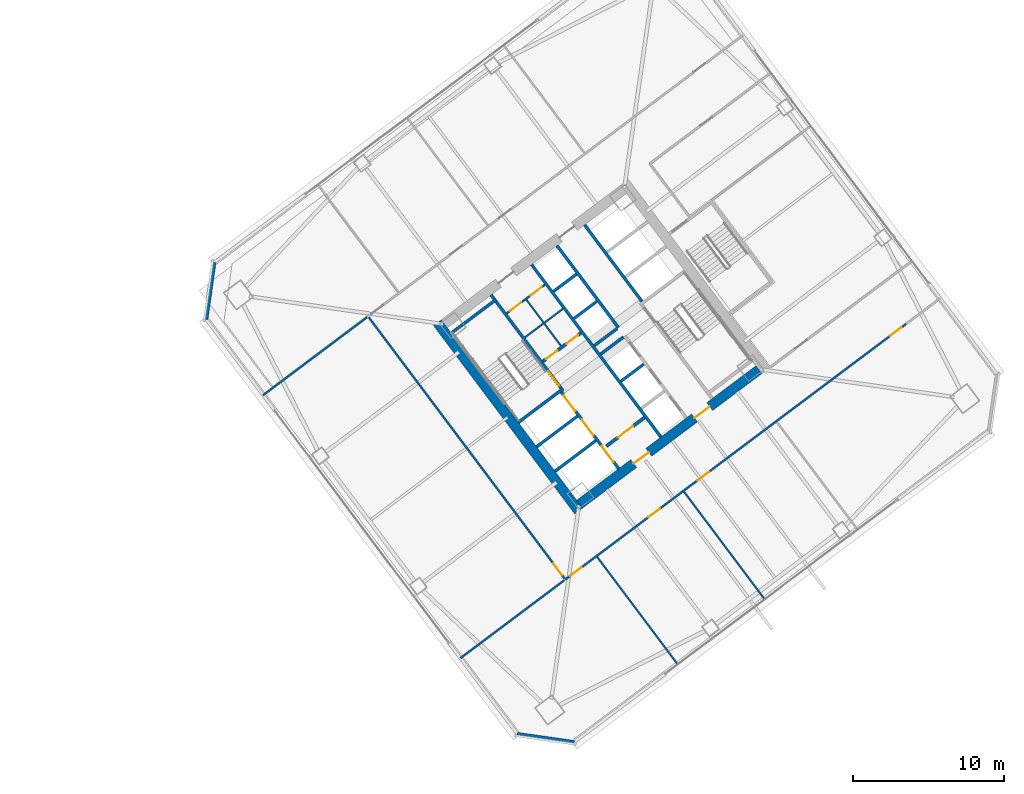
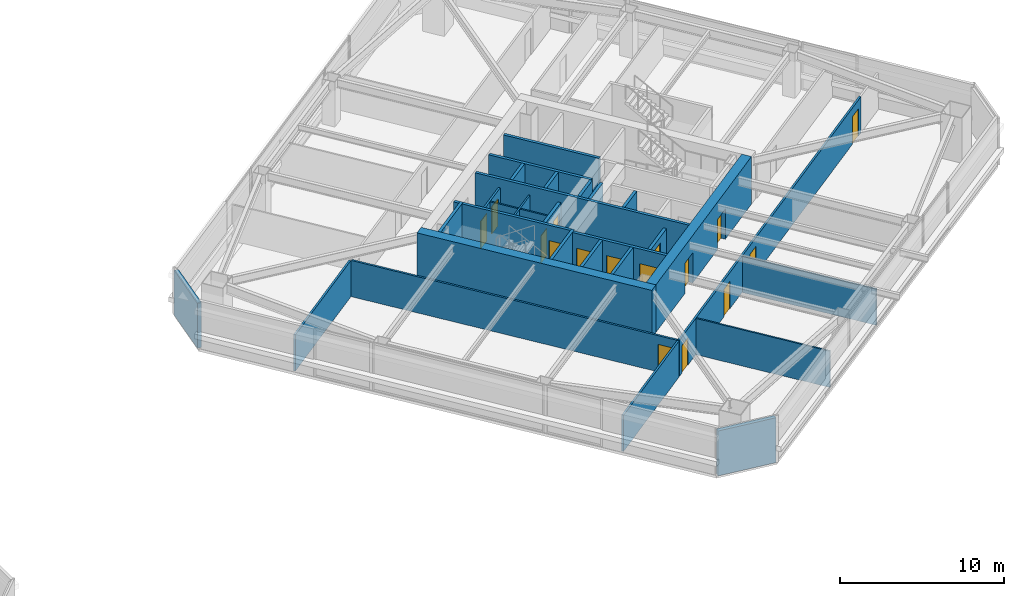
# One storey, part 35 of 44: 29 walls, 16 doors, 16 openings.
"""IFC4 building model written with IfcOpenShell, lengths in metres."""

from ifc_helpers import new_model, si_unit, direction, frame, frame_2d, origin, place, context, subcontext, project, spatial, rectangle, extrude, material, layer, layer_set, type_object, element, fill, save


model = new_model("IFC4")

# Units and contexts
model_context = context("Model", 3, precision=1e-05, world=origin(), true_north=direction((0.0, 1.0)))
body_context = subcontext(model_context, "Body", "Model", "MODEL_VIEW")
ifc_project = project(units=[si_unit("LENGTHUNIT", "METRE"), si_unit("AREAUNIT", "SQUARE_METRE"), si_unit("VOLUMEUNIT", "CUBIC_METRE"), si_unit("PLANEANGLEUNIT", "RADIAN"), si_unit("MASSUNIT", "GRAM", prefix="KILO")], contexts=[model_context])

# Site, building, storey
site_placement = place(None, origin())
site = spatial("IfcSite", under=ifc_project, at=site_placement, CompositionType="ELEMENT")
building_placement = place(site_placement, origin())
building = spatial("IfcBuilding", under=site, at=building_placement, Name="Tashvorn Skyway Center", CompositionType="ELEMENT")
storey_placement = place(building_placement, frame((0.0, 0.0, 74.300048828125)))
storey = spatial("IfcBuildingStorey", under=building, at=storey_placement, Name="L19", CompositionType="ELEMENT", Elevation=74.300048828125)

# Wall
ifc_material_1 = material(Name="Concrete C60/75", Category="concrete")
ifc_layer_1 = layer(ifc_material_1, 0.64990234375)
ifc_layer_set_1 = layer_set([ifc_layer_1], Name="Concrete C60/75")
wall_type_1 = type_object("IfcWallType", Name="WALL-CORE-650", PredefinedType="SHEAR", material=ifc_layer_set_1)
wall_1_placement = place(storey_placement, frame((112.47607421875, 21.10693359375, 0.0), z_axis=(0.0, 0.0, 1.0), x_axis=(-0.600005007985, 0.799996243986, 0.0)))
element("IfcWall", 1, at=wall_1_placement, inside=storey, type_object=wall_type_1, Name="Tower 2 L19 West Core Shear Wall", PredefinedType="SHEAR", context=body_context, shape_type="SweptSolid", body=[
    extrude(rectangle(XDim=15.60009765625, YDim=0.64990234375, at=frame_2d((7.800048828125, 0.0))), origin(), (0.0, 0.0, 1.0), 3.550048828125),
])

# Wall, openings, doors
wall_2_placement = place(storey_placement, frame((124.428955078125, 30.47802734375, 0.0), z_axis=(0.0, 0.0, 1.0), x_axis=(-0.799998028465, -0.600002628705, 0.0)))
wall_2 = element("IfcWall", 2, at=wall_2_placement, inside=storey, type_object=wall_type_1, Name="Tower 2 L19 South Core Shear Wall", PredefinedType="SHEAR", context=body_context, shape_type="SweptSolid", body=[
    extrude(rectangle(XDim=14.85986328125, YDim=0.64990234375, at=frame_2d((7.429931640625, 0.0))), origin(), (0.0, 0.0, 1.0), 3.550048828125),
])
opening_1_placement = place(wall_2_placement, frame((9.1298828125, 0.0, 0.0)))
opening_1 = element("IfcOpeningElement", 3, at=opening_1_placement, cuts=wall_2, Name="Opening D-FFL-1250", PredefinedType="OPENING", context=body_context, shape_type="SweptSolid", body=[
    extrude(rectangle(XDim=1.25, YDim=2.25, at=frame_2d((0.625, 1.125))), frame((0.0, 0.3349609375, 0.0), z_axis=(0.0, -1.0, 0.0), x_axis=(1.0, 0.0, 0.0)), (0.0, 0.0, 1.0), 0.669921875),
])
opening_2_placement = place(wall_2_placement, frame((4.080078125, 0.0, 0.0)))
opening_2 = element("IfcOpeningElement", 4, at=opening_2_placement, cuts=wall_2, Name="Opening D-FFL-1250", PredefinedType="OPENING", context=body_context, shape_type="SweptSolid", body=[
    extrude(rectangle(XDim=1.25, YDim=2.25, at=frame_2d((0.625, 1.125))), frame((0.0, 0.3349609375, 0.0), z_axis=(0.0, -1.0, 0.0), x_axis=(1.0, 0.0, 0.0)), (0.0, 0.0, 1.0), 0.669921875),
])
ifc_material_2 = material(Name="Hollow galvanized steel fire door assembly", Category="steel")
door_type_1 = type_object("IfcDoorType", Name="DOOR-FFL-1250", OperationType="NOTDEFINED", PredefinedType="DOOR", material=ifc_material_2)
door_1_placement = place(opening_1_placement, origin())
door_1 = element("IfcDoor", 5, at=door_1_placement, inside=storey, type_object=door_type_1, Name="Tower 2 L19 Core South Firefighting Exit Door", OperationType="SINGLE_SWING_LEFT", OverallHeight=2.25, OverallWidth=1.25, PredefinedType="DOOR", context=body_context, shape_type="SweptSolid", body=[
    extrude(rectangle(XDim=1.25, YDim=2.25, at=frame_2d((0.625, 1.125))), frame((0.0, 0.02490234375, 0.0), z_axis=(0.0, -1.0, 0.0), x_axis=(1.0, 0.0, 0.0)), (0.0, 0.0, 1.0), 0.050048828125),
])
fill(opening_1, door_1)
door_2_placement = place(opening_2_placement, origin())
door_2 = element("IfcDoor", 6, at=door_2_placement, inside=storey, type_object=door_type_1, Name="Tower 2 L19 Core South Lift Lobby Door", OperationType="SINGLE_SWING_RIGHT", OverallHeight=2.25, OverallWidth=1.25, PredefinedType="DOOR", context=body_context, shape_type="SweptSolid", body=[
    extrude(rectangle(XDim=1.25, YDim=2.25, at=frame_2d((0.625, 1.125))), frame((0.0, 0.02490234375, 0.0), z_axis=(0.0, -1.0, 0.0), x_axis=(1.0, 0.0, 0.0)), (0.0, 0.0, 1.0), 0.050048828125),
])
fill(opening_2, door_2)

# Walls
ifc_material_3 = material(Name="Precast concrete C40/50", Category="concrete")
ifc_layer_2 = layer(ifc_material_3, 0.280029296875)
ifc_layer_set_2 = layer_set([ifc_layer_2], Name="Precast concrete C40/50")
wall_type_2 = type_object("IfcWallType", Name="WALL-EXT-280", PredefinedType="SOLIDWALL", material=ifc_layer_set_2)
for number, where, z_axis, x_axis, name in (
    (7, (112.179931640625, 5.760009765625, 0.0), (0.0, 0.0, 1.0), (-0.989948214866, 0.141430307517, 0.0), "Tower 2 L19 SW Precast Chamfer Wall"),
    (8, (87.760009765625, 33.820068359375, 0.0), (0.0, 0.0, 1.0), (0.141430307517, 0.989948214866, 0.0), "Tower 2 L19 NW Precast Chamfer Wall"),
):
    element("IfcWall", number, at=place(storey_placement, frame(where, z_axis=z_axis, x_axis=x_axis)), inside=storey, type_object=wall_type_2, Name=name, PredefinedType="SOLIDWALL", context=body_context, shape_type="SweptSolid", body=[
        extrude(rectangle(XDim=3.818359375, YDim=0.280029296875, at=frame_2d((1.9091796875, 0.0))), origin(), (0.0, 0.0, 1.0), 3.349853515625),
    ])

# Wall, openings, doors
ifc_material_4 = material(Name="Concrete C40/50", Category="concrete")
ifc_layer_3 = layer(ifc_material_4, 0.219970703125)
ifc_layer_set_3 = layer_set([ifc_layer_3], Name="Concrete C40/50")
wall_type_3 = type_object("IfcWallType", Name="WALL-FFL-220", PredefinedType="SOLIDWALL", material=ifc_layer_set_3)
wall_3_placement = place(storey_placement, frame((110.10400390625, 31.028076171875, 0.0), z_axis=(0.0, 0.0, 1.0), x_axis=(0.800018601094, 0.59997519774, 0.0)))
wall_3 = element("IfcWall", 9, at=wall_3_placement, inside=storey, type_object=wall_type_3, Name="Tower 2 L19 Firefighting Lobby North Wall", PredefinedType="SOLIDWALL", context=body_context, shape_type="SweptSolid", body=[
    extrude(rectangle(XDim=3.14990234375, YDim=0.219970703125, at=frame_2d((1.574951171875, 0.0))), origin(), (0.0, 0.0, 1.0), 2.702880859375),
])
opening_3_placement = place(wall_3_placement, frame((0.25, 0.0, 0.0)))
opening_3 = element("IfcOpeningElement", 10, at=opening_3_placement, cuts=wall_3, Name="Opening D-RT-950", PredefinedType="OPENING", context=body_context, shape_type="SweptSolid", body=[
    extrude(rectangle(XDim=0.949951171875, YDim=2.050048828125, at=frame_2d((0.47509765625, 1.02490234375))), frame((0.0, 0.119873046875, 0.0), z_axis=(0.0, -1.0, 0.0), x_axis=(1.0, 0.0, 0.0)), (0.0, 0.0, 1.0), 0.239990234375),
])
opening_4_placement = place(wall_3_placement, frame((1.949951171875, 0.0, 0.0)))
opening_4 = element("IfcOpeningElement", 11, at=opening_4_placement, cuts=wall_3, Name="Opening D-RT-950", PredefinedType="OPENING", context=body_context, shape_type="SweptSolid", body=[
    extrude(rectangle(XDim=0.949951171875, YDim=2.050048828125, at=frame_2d((0.47509765625, 1.02490234375))), frame((0.0, 0.119873046875, 0.0), z_axis=(0.0, -1.0, 0.0), x_axis=(1.0, 0.0, 0.0)), (0.0, 0.0, 1.0), 0.239990234375),
])
door_type_2 = type_object("IfcDoorType", Name="DOOR-RATED-950", OperationType="NOTDEFINED", PredefinedType="DOOR", material=ifc_material_2)
door_3_placement = place(opening_3_placement, origin())
door_3 = element("IfcDoor", 12, at=door_3_placement, inside=storey, type_object=door_type_2, Name="Tower 2 L19 Core Mail Room Door", OperationType="SINGLE_SWING_LEFT", OverallHeight=2.050048828125, OverallWidth=0.949951171875, PredefinedType="DOOR", context=body_context, shape_type="SweptSolid", body=[
    extrude(rectangle(XDim=0.949951171875, YDim=2.050048828125, at=frame_2d((0.47509765625, 1.02490234375))), frame((0.0, 0.02490234375, 0.0), z_axis=(0.0, -1.0, 0.0), x_axis=(1.0, 0.0, 0.0)), (0.0, 0.0, 1.0), 0.050048828125),
])
fill(opening_3, door_3)
door_4_placement = place(opening_4_placement, origin())
door_4 = element("IfcDoor", 13, at=door_4_placement, inside=storey, type_object=door_type_2, Name="Tower 2 L19 Core Supply Closet Door", OperationType="SINGLE_SWING_RIGHT", OverallHeight=2.050048828125, OverallWidth=0.949951171875, PredefinedType="DOOR", context=body_context, shape_type="SweptSolid", body=[
    extrude(rectangle(XDim=0.949951171875, YDim=2.050048828125, at=frame_2d((0.47509765625, 1.02490234375))), frame((0.0, 0.02490234375, 0.0), z_axis=(0.0, -1.0, 0.0), x_axis=(1.0, 0.0, 0.0)), (0.0, 0.0, 1.0), 0.050048828125),
])
fill(opening_4, door_4)

# Wall, opening, door
wall_4_placement = place(storey_placement, frame((114.31591796875, 25.412109375, 0.0), z_axis=(0.0, 0.0, 1.0), x_axis=(0.800018601094, 0.59997519774, 0.0)))
wall_4 = element("IfcWall", 14, at=wall_4_placement, inside=storey, type_object=wall_type_3, Name="Tower 2 L19 Firefighting Lobby South Wall", PredefinedType="SOLIDWALL", context=body_context, shape_type="SweptSolid", body=[
    extrude(rectangle(XDim=3.14990234375, YDim=0.219970703125, at=frame_2d((1.574951171875, 0.0))), origin(), (0.0, 0.0, 1.0), 2.702880859375),
])
opening_5_placement = place(wall_4_placement, frame((0.949951171875, 0.0, 0.0)))
opening_5 = element("IfcOpeningElement", 15, at=opening_5_placement, cuts=wall_4, Name="Opening D-FFL-1250", PredefinedType="OPENING", context=body_context, shape_type="SweptSolid", body=[
    extrude(rectangle(XDim=1.25, YDim=2.25, at=frame_2d((0.625, 1.125))), frame((0.0, 0.119873046875, 0.0), z_axis=(0.0, -1.0, 0.0), x_axis=(1.0, 0.0, 0.0)), (0.0, 0.0, 1.0), 0.239990234375),
])
door_5_placement = place(opening_5_placement, origin())
door_5 = element("IfcDoor", 16, at=door_5_placement, inside=storey, type_object=door_type_1, Name="Tower 2 L19 Firefighting Lobby Egress Door", OperationType="SINGLE_SWING_LEFT", OverallHeight=2.25, OverallWidth=1.25, PredefinedType="DOOR", context=body_context, shape_type="SweptSolid", body=[
    extrude(rectangle(XDim=1.25, YDim=2.25, at=frame_2d((0.625, 1.125))), frame((0.0, 0.02490234375, 0.0), z_axis=(0.0, -1.0, 0.0), x_axis=(1.0, 0.0, 0.0)), (0.0, 0.0, 1.0), 0.050048828125),
])
fill(opening_5, door_5)

# Walls
ifc_material_5 = material(Name="Gypsum board on cold-formed steel stud framing", Category="steel")
ifc_layer_4 = layer(ifc_material_5, 0.110107421875)
ifc_layer_set_4 = layer_set([ifc_layer_4], Name="Gypsum board on cold-formed steel stud framing")
wall_type_4 = type_object("IfcWallType", Name="WALL-PART-110", PredefinedType="PARTITIONING", material=ifc_layer_set_4)
for number, where, z_axis, x_axis, name in (
    (17, (119.048095703125, 10.93603515625, 0.0), (0.0, 0.0, 1.0), (-0.600013167126, 0.799990124486, 0.0), "Tower 2 L19 South Suite Partition 1"),
    (18, (124.80810546875, 15.256103515625, 0.0), (0.0, 0.0, 1.0), (-0.600013167126, 0.799990124486, 0.0), "Tower 2 L19 South Suite Partition 2"),
):
    element("IfcWall", number, at=place(storey_placement, frame(where, z_axis=z_axis, x_axis=x_axis)), inside=storey, type_object=wall_type_4, Name=name, PredefinedType="PARTITIONING", context=body_context, shape_type="SweptSolid", body=[
        extrude(rectangle(XDim=8.89990234375, YDim=0.110107421875, at=frame_2d((4.449951171875, 0.0))), origin(), (0.0, 0.0, 1.0), 2.702880859375),
    ])

# Wall, openings, doors
ifc_layer_5 = layer(ifc_material_5, 0.135009765625)
ifc_layer_set_5 = layer_set([ifc_layer_5], Name="Gypsum board on cold-formed steel stud framing")
wall_type_5 = type_object("IfcWallType", Name="WALL-PART-135", PredefinedType="PARTITIONING", material=ifc_layer_set_5)
wall_5_placement = place(storey_placement, frame((134.179931640625, 33.510009765625, 0.0), z_axis=(0.0, 0.0, 1.0), x_axis=(-0.8, -0.6, 0.0)))
wall_5 = element("IfcWall", 19, at=wall_5_placement, inside=storey, type_object=wall_type_5, Name="Tower 2 L19 South Suite Wall", PredefinedType="PARTITIONING", context=body_context, shape_type="SweptSolid", body=[
    extrude(rectangle(XDim=28.22998046875, YDim=0.135009765625, at=frame_2d((14.114990234375, 0.0))), origin(), (0.0, 0.0, 1.0), 2.702880859375),
])
opening_6_placement = place(wall_5_placement, frame((26.89990234375, 0.0, 0.0)))
opening_6 = element("IfcOpeningElement", 20, at=opening_6_placement, cuts=wall_5, Name="Opening D-INT-950", PredefinedType="OPENING", context=body_context, shape_type="SweptSolid", body=[
    extrude(rectangle(XDim=0.949951171875, YDim=2.050048828125, at=frame_2d((0.47509765625, 1.02490234375))), frame((0.0, 0.077392578125, 0.0), z_axis=(0.0, -1.0, 0.0), x_axis=(1.0, 0.0, 0.0)), (0.0, 0.0, 1.0), 0.155029296875),
])
opening_7_placement = place(wall_5_placement, frame((20.398681640625, 0.0, 0.0)))
opening_7 = element("IfcOpeningElement", 21, at=opening_7_placement, cuts=wall_5, Name="Opening D-INT-950", PredefinedType="OPENING", context=body_context, shape_type="SweptSolid", body=[
    extrude(rectangle(XDim=0.949951171875, YDim=2.050048828125, at=frame_2d((0.47509765625, 1.02490234375))), frame((0.0, 0.077392578125, 0.0), z_axis=(0.0, -1.0, 0.0), x_axis=(1.0, 0.0, 0.0)), (0.0, 0.0, 1.0), 0.155029296875),
])
opening_8_placement = place(wall_5_placement, frame((16.338623046875, 0.0, 0.0)))
opening_8 = element("IfcOpeningElement", 22, at=opening_8_placement, cuts=wall_5, Name="Opening D-INT-950", PredefinedType="OPENING", context=body_context, shape_type="SweptSolid", body=[
    extrude(rectangle(XDim=0.949951171875, YDim=2.050048828125, at=frame_2d((0.47509765625, 1.02490234375))), frame((0.0, 0.077392578125, 0.0), z_axis=(0.0, -1.0, 0.0), x_axis=(1.0, 0.0, 0.0)), (0.0, 0.0, 1.0), 0.155029296875),
])
opening_9_placement = place(wall_5_placement, frame((0.3798828125, 0.0, 0.0)))
opening_9 = element("IfcOpeningElement", 23, at=opening_9_placement, cuts=wall_5, Name="Opening D-INT-950", PredefinedType="OPENING", context=body_context, shape_type="SweptSolid", body=[
    extrude(rectangle(XDim=0.949951171875, YDim=2.050048828125, at=frame_2d((0.47509765625, 1.02490234375))), frame((0.0, 0.077392578125, 0.0), z_axis=(0.0, -1.0, 0.0), x_axis=(1.0, 0.0, 0.0)), (0.0, 0.0, 1.0), 0.155029296875),
])
ifc_material_6 = material(Name="Solid-core architectural oak veneer door")
door_type_3 = type_object("IfcDoorType", Name="DOOR-INT-950", OperationType="NOTDEFINED", PredefinedType="DOOR", material=ifc_material_6)
door_6_placement = place(opening_6_placement, origin())
door_6 = element("IfcDoor", 24, at=door_6_placement, inside=storey, type_object=door_type_3, Name="Tower 2 L19 Conference Room Door", OperationType="SINGLE_SWING_LEFT", OverallHeight=2.050048828125, OverallWidth=0.949951171875, PredefinedType="DOOR", context=body_context, shape_type="SweptSolid", body=[
    extrude(rectangle(XDim=0.949951171875, YDim=2.050048828125, at=frame_2d((0.47509765625, 1.02490234375))), frame((0.0, 0.02490234375, 0.0), z_axis=(0.0, -1.0, 0.0), x_axis=(1.0, 0.0, 0.0)), (0.0, 0.0, 1.0), 0.050048828125),
])
fill(opening_6, door_6)
door_7_placement = place(opening_7_placement, origin())
door_7 = element("IfcDoor", 25, at=door_7_placement, inside=storey, type_object=door_type_3, Name="Tower 2 L19 Boardroom Door", OperationType="SINGLE_SWING_RIGHT", OverallHeight=2.050048828125, OverallWidth=0.949951171875, PredefinedType="DOOR", context=body_context, shape_type="SweptSolid", body=[
    extrude(rectangle(XDim=0.949951171875, YDim=2.050048828125, at=frame_2d((0.47509765625, 1.02490234375))), frame((0.0, 0.02490234375, 0.0), z_axis=(0.0, -1.0, 0.0), x_axis=(1.0, 0.0, 0.0)), (0.0, 0.0, 1.0), 0.050048828125),
])
fill(opening_7, door_7)
door_8_placement = place(opening_8_placement, origin())
door_8 = element("IfcDoor", 26, at=door_8_placement, inside=storey, type_object=door_type_3, Name="Tower 2 L19 Boardroom Door", OperationType="SINGLE_SWING_LEFT", OverallHeight=2.050048828125, OverallWidth=0.949951171875, PredefinedType="DOOR", context=body_context, shape_type="SweptSolid", body=[
    extrude(rectangle(XDim=0.949951171875, YDim=2.050048828125, at=frame_2d((0.47509765625, 1.02490234375))), frame((0.0, 0.02490234375, 0.0), z_axis=(0.0, -1.0, 0.0), x_axis=(1.0, 0.0, 0.0)), (0.0, 0.0, 1.0), 0.050048828125),
])
fill(opening_8, door_8)
door_9_placement = place(opening_9_placement, origin())
door_9 = element("IfcDoor", 27, at=door_9_placement, inside=storey, type_object=door_type_3, Name="Tower 2 L19 Catering Pantry Door", OperationType="SINGLE_SWING_RIGHT", OverallHeight=2.050048828125, OverallWidth=0.949951171875, PredefinedType="DOOR", context=body_context, shape_type="SweptSolid", body=[
    extrude(rectangle(XDim=0.949951171875, YDim=2.050048828125, at=frame_2d((0.47509765625, 1.02490234375))), frame((0.0, 0.02490234375, 0.0), z_axis=(0.0, -1.0, 0.0), x_axis=(1.0, 0.0, 0.0)), (0.0, 0.0, 1.0), 0.050048828125),
])
fill(opening_9, door_9)

# Wall, opening, door
wall_6_placement = place(storey_placement, frame((111.548095703125, 16.635986328125, 0.0), z_axis=(0.0, 0.0, 1.0), x_axis=(-0.600003610192, 0.799997292343, 0.0)))
wall_6 = element("IfcWall", 28, at=wall_6_placement, inside=storey, type_object=wall_type_5, Name="Tower 2 L19 West Inner Suite Wall", PredefinedType="PARTITIONING", context=body_context, shape_type="SweptSolid", body=[
    extrude(rectangle(XDim=21.64013671875, YDim=0.135009765625, at=frame_2d((10.820068359375, 0.0))), origin(), (0.0, 0.0, 1.0), 2.702880859375),
])
opening_10_placement = place(wall_6_placement, frame((0.300048828125, 0.0, 0.0)))
opening_10 = element("IfcOpeningElement", 29, at=opening_10_placement, cuts=wall_6, Name="Opening D-INT-950", PredefinedType="OPENING", context=body_context, shape_type="SweptSolid", body=[
    extrude(rectangle(XDim=0.949951171875, YDim=2.050048828125, at=frame_2d((0.47509765625, 1.02490234375))), frame((0.0, 0.077392578125, 0.0), z_axis=(0.0, -1.0, 0.0), x_axis=(1.0, 0.0, 0.0)), (0.0, 0.0, 1.0), 0.155029296875),
])
door_10_placement = place(opening_10_placement, origin())
door_10 = element("IfcDoor", 30, at=door_10_placement, inside=storey, type_object=door_type_3, Name="Tower 2 L19 Catering Pantry Door", OperationType="SINGLE_SWING_LEFT", OverallHeight=2.050048828125, OverallWidth=0.949951171875, PredefinedType="DOOR", context=body_context, shape_type="SweptSolid", body=[
    extrude(rectangle(XDim=0.949951171875, YDim=2.050048828125, at=frame_2d((0.47509765625, 1.02490234375))), frame((0.0, 0.02490234375, 0.0), z_axis=(0.0, -1.0, 0.0), x_axis=(1.0, 0.0, 0.0)), (0.0, 0.0, 1.0), 0.050048828125),
])
fill(opening_10, door_10)

# Walls
wall_7_placement = place(storey_placement, frame((98.451904296875, 33.964111328125, 0.0), z_axis=(0.0, 0.0, 1.0), x_axis=(-0.799993202584, -0.600009063115, 0.0)))
element("IfcWall", 31, at=wall_7_placement, inside=storey, type_object=wall_type_5, Name="Tower 2 L19 West Suite North Wall", PredefinedType="PARTITIONING", context=body_context, shape_type="SweptSolid", body=[
    extrude(rectangle(XDim=8.6201171875, YDim=0.135009765625, at=frame_2d((4.31005859375, 0.0))), origin(), (0.0, 0.0, 1.0), 2.702880859375),
])
wall_8_placement = place(storey_placement, frame((104.635986328125, 11.35205078125, 0.0), z_axis=(0.0, 0.0, 1.0), x_axis=(0.800006797429, 0.599990936654, 0.0)))
element("IfcWall", 32, at=wall_8_placement, inside=storey, type_object=wall_type_5, Name="Tower 2 L19 West Suite South Wall", PredefinedType="PARTITIONING", context=body_context, shape_type="SweptSolid", body=[
    extrude(rectangle(XDim=8.619873046875, YDim=0.135009765625, at=frame_2d((4.31005859375, 0.0))), origin(), (0.0, 0.0, 1.0), 2.702880859375),
])
ifc_layer_6 = layer(ifc_material_5, 0.110107421875)
ifc_layer_set_6 = layer_set([ifc_layer_6], Name="Gypsum board on cold-formed steel stud framing")
wall_type_6 = type_object("IfcWallType", Name="WALL-RATED-110", PredefinedType="PARTITIONING", material=ifc_layer_set_6)
wall_9_placement = place(storey_placement, frame((111.2958984375, 32.072021484375, 0.0), z_axis=(0.0, 0.0, 1.0), x_axis=(-0.59995887973, 0.800030838552, 0.0)))
element("IfcWall", 33, at=wall_9_placement, inside=storey, type_object=wall_type_6, Name="Tower 2 L19 Core Cross Vertical", PredefinedType="PARTITIONING", context=body_context, shape_type="SweptSolid", body=[
    extrude(rectangle(XDim=3.7998046875, YDim=0.110107421875, at=frame_2d((1.89990234375, 0.0))), origin(), (0.0, 0.0, 1.0), 2.702880859375),
])
wall_10_placement = place(storey_placement, frame((108.909912109375, 32.6201171875, 0.0), z_axis=(0.0, 0.0, 1.0), x_axis=(0.800018601094, 0.59997519774, 0.0)))
element("IfcWall", 34, at=wall_10_placement, inside=storey, type_object=wall_type_6, Name="Tower 2 L19 Core Cross Horizontal", PredefinedType="PARTITIONING", context=body_context, shape_type="SweptSolid", body=[
    extrude(rectangle(XDim=3.14990234375, YDim=0.110107421875, at=frame_2d((1.574951171875, 0.0))), origin(), (0.0, 0.0, 1.0), 2.702880859375),
])

# Wall, openings, doors
ifc_layer_7 = layer(ifc_material_5, 0.135009765625)
ifc_layer_set_7 = layer_set([ifc_layer_7], Name="Gypsum board on cold-formed steel stud framing")
wall_type_7 = type_object("IfcWallType", Name="WALL-RATED-135", PredefinedType="PARTITIONING", material=ifc_layer_set_7)
wall_11_placement = place(storey_placement, frame((107.7099609375, 34.219970703125, 0.0), z_axis=(0.0, 0.0, 1.0), x_axis=(0.799981399002, 0.60002480053, 0.0)))
wall_11 = element("IfcWall", 35, at=wall_11_placement, inside=storey, type_object=wall_type_7, Name="Tower 2 L19 Core Service Lobby Wall", PredefinedType="PARTITIONING", context=body_context, shape_type="SweptSolid", body=[
    extrude(rectangle(XDim=3.150146484375, YDim=0.135009765625, at=frame_2d((1.5751953125, 0.0))), origin(), (0.0, 0.0, 1.0), 2.702880859375),
])
opening_11_placement = place(wall_11_placement, frame((0.25, 0.0, 0.0)))
opening_11 = element("IfcOpeningElement", 36, at=opening_11_placement, cuts=wall_11, Name="Opening D-RT-950", PredefinedType="OPENING", context=body_context, shape_type="SweptSolid", body=[
    extrude(rectangle(XDim=0.949951171875, YDim=2.050048828125, at=frame_2d((0.47509765625, 1.02490234375))), frame((0.0, 0.077392578125, 0.0), z_axis=(0.0, -1.0, 0.0), x_axis=(1.0, 0.0, 0.0)), (0.0, 0.0, 1.0), 0.155029296875),
])
opening_12_placement = place(wall_11_placement, frame((1.949951171875, 0.0, 0.0)))
opening_12 = element("IfcOpeningElement", 37, at=opening_12_placement, cuts=wall_11, Name="Opening D-RT-950", PredefinedType="OPENING", context=body_context, shape_type="SweptSolid", body=[
    extrude(rectangle(XDim=0.949951171875, YDim=2.050048828125, at=frame_2d((0.47509765625, 1.02490234375))), frame((0.0, 0.077392578125, 0.0), z_axis=(0.0, -1.0, 0.0), x_axis=(1.0, 0.0, 0.0)), (0.0, 0.0, 1.0), 0.155029296875),
])
door_11_placement = place(opening_11_placement, origin())
door_11 = element("IfcDoor", 38, at=door_11_placement, inside=storey, type_object=door_type_2, Name="Tower 2 L19 Core Cleaner Store Door", OperationType="SINGLE_SWING_LEFT", OverallHeight=2.050048828125, OverallWidth=0.949951171875, PredefinedType="DOOR", context=body_context, shape_type="SweptSolid", body=[
    extrude(rectangle(XDim=0.949951171875, YDim=2.050048828125, at=frame_2d((0.47509765625, 1.02490234375))), frame((0.0, 0.02490234375, 0.0), z_axis=(0.0, -1.0, 0.0), x_axis=(1.0, 0.0, 0.0)), (0.0, 0.0, 1.0), 0.050048828125),
])
fill(opening_11, door_11)
door_12_placement = place(opening_12_placement, origin())
door_12 = element("IfcDoor", 39, at=door_12_placement, inside=storey, type_object=door_type_2, Name="Tower 2 L19 Core Accessible WC Door", OperationType="SINGLE_SWING_RIGHT", OverallHeight=2.050048828125, OverallWidth=0.949951171875, PredefinedType="DOOR", context=body_context, shape_type="SweptSolid", body=[
    extrude(rectangle(XDim=0.949951171875, YDim=2.050048828125, at=frame_2d((0.47509765625, 1.02490234375))), frame((0.0, 0.02490234375, 0.0), z_axis=(0.0, -1.0, 0.0), x_axis=(1.0, 0.0, 0.0)), (0.0, 0.0, 1.0), 0.050048828125),
])
fill(opening_12, door_12)

# Walls
ifc_layer_8 = layer(ifc_material_4, 0.199951171875)
ifc_layer_set_8 = layer_set([ifc_layer_8], Name="Concrete C40/50")
wall_type_8 = type_object("IfcWallType", Name="WALL-SHAFT-200", PredefinedType="SOLIDWALL", material=ifc_layer_set_8)
for number, where, z_axis, x_axis, name in (
    (40, (110.906005859375, 23.741943359375, 0.0), (0.0, 0.0, 1.0), (0.8, 0.6, 0.0), "Tower 2 L19 FSAE Shaft Divider"),
    (41, (109.68798828125, 25.365966796875, 0.0), (0.0, 0.0, 1.0), (0.8, 0.6, 0.0), "Tower 2 L19 FSAE Shaft Divider"),
):
    element("IfcWall", number, at=place(storey_placement, frame(where, z_axis=z_axis, x_axis=x_axis)), inside=storey, type_object=wall_type_8, Name=name, PredefinedType="SOLIDWALL", context=body_context, shape_type="SweptSolid", body=[
        extrude(rectangle(XDim=3.380126953125, YDim=0.199951171875, at=frame_2d((1.68994140625, 0.0))), origin(), (0.0, 0.0, 1.0), 3.349853515625),
    ])
wall_12_placement = place(storey_placement, frame((115.2958984375, 29.721923828125, 0.0), z_axis=(0.0, 0.0, 1.0), x_axis=(0.799984418148, 0.600020775241, 0.0)))
element("IfcWall", 42, at=wall_12_placement, inside=storey, type_object=wall_type_8, Name="Tower 2 L19 Low-Rise Shaft Divider", PredefinedType="SOLIDWALL", context=body_context, shape_type="SweptSolid", body=[
    extrude(rectangle(XDim=1.880126953125, YDim=0.199951171875, at=frame_2d((0.93994140625, 0.0))), origin(), (0.0, 0.0, 1.0), 3.349853515625),
])
wall_13_placement = place(storey_placement, frame((113.946044921875, 31.52197265625, 0.0), z_axis=(0.0, 0.0, 1.0), x_axis=(0.8, 0.6, 0.0)))
element("IfcWall", 43, at=wall_13_placement, inside=storey, type_object=wall_type_8, Name="Tower 2 L19 Low-Rise Shaft Divider", PredefinedType="SOLIDWALL", context=body_context, shape_type="SweptSolid", body=[
    extrude(rectangle(XDim=1.8798828125, YDim=0.199951171875, at=frame_2d((0.93994140625, 0.0))), origin(), (0.0, 0.0, 1.0), 3.349853515625),
])
wall_14_placement = place(storey_placement, frame((115.110107421875, 33.27001953125, 0.0), z_axis=(0.0, 0.0, 1.0), x_axis=(-0.600011488909, 0.79999138319, 0.0)))
element("IfcWall", 44, at=wall_14_placement, inside=storey, type_object=wall_type_8, Name="Tower 2 L19 Mid-Rise Core Wall", PredefinedType="SOLIDWALL", context=body_context, shape_type="SweptSolid", body=[
    extrude(rectangle(XDim=6.800048828125, YDim=0.199951171875, at=frame_2d((3.39990234375, 0.0))), origin(), (0.0, 0.0, 1.0), 3.349853515625),
])
wall_15_placement = place(storey_placement, frame((113.52587890625, 32.08203125, 0.0), z_axis=(0.0, 0.0, 1.0), x_axis=(0.800046745961, 0.599937666993, 0.0)))
element("IfcWall", 45, at=wall_15_placement, inside=storey, type_object=wall_type_8, Name="Tower 2 L19 Mid-Rise Shaft Divider", PredefinedType="SOLIDWALL", context=body_context, shape_type="SweptSolid", body=[
    extrude(rectangle(XDim=1.880126953125, YDim=0.199951171875, at=frame_2d((0.93994140625, 0.0))), origin(), (0.0, 0.0, 1.0), 3.349853515625),
])
wall_16_placement = place(storey_placement, frame((112.176025390625, 33.882080078125, 0.0), z_axis=(0.0, 0.0, 1.0), x_axis=(0.8, 0.6, 0.0)))
element("IfcWall", 46, at=wall_16_placement, inside=storey, type_object=wall_type_8, Name="Tower 2 L19 Mid-Rise Shaft Divider", PredefinedType="SOLIDWALL", context=body_context, shape_type="SweptSolid", body=[
    extrude(rectangle(XDim=1.8798828125, YDim=0.199951171875, at=frame_2d((0.93994140625, 0.0))), origin(), (0.0, 0.0, 1.0), 3.349853515625),
])
wall_17_placement = place(storey_placement, frame((110.825927734375, 35.681884765625, 0.0), z_axis=(0.0, 0.0, 1.0), x_axis=(0.799984418148, 0.600020775241, 0.0)))
element("IfcWall", 47, at=wall_17_placement, inside=storey, type_object=wall_type_8, Name="Tower 2 L19 Mid-Rise Shaft Divider", PredefinedType="SOLIDWALL", context=body_context, shape_type="SweptSolid", body=[
    extrude(rectangle(XDim=1.880126953125, YDim=0.199951171875, at=frame_2d((0.93994140625, 0.0))), origin(), (0.0, 0.0, 1.0), 3.349853515625),
])

# Wall, opening, door
ifc_layer_9 = layer(ifc_material_4, 0.199951171875)
ifc_layer_set_9 = layer_set([ifc_layer_9], Name="Concrete C40/50")
wall_type_9 = type_object("IfcWallType", Name="WALL-STSHF-200", PredefinedType="SHEAR", material=ifc_layer_set_9)
wall_18_placement = place(storey_placement, frame((111.43994140625, 29.080078125, 0.0), z_axis=(0.0, 0.0, 1.0), x_axis=(-0.600009827119, 0.799992629566, 0.0)))
wall_18 = element("IfcWall", 48, at=wall_18_placement, inside=storey, type_object=wall_type_9, Name="Tower 2 L19 Stair 1 Enclosure Wall", PredefinedType="SHEAR", context=body_context, shape_type="SweptSolid", body=[
    extrude(rectangle(XDim=7.949951171875, YDim=0.199951171875, at=frame_2d((3.97509765625, 0.0))), origin(), (0.0, 0.0, 1.0), 3.349853515625),
])
opening_13_placement = place(wall_18_placement, frame((0.449951171875, 0.0, 0.0)))
opening_13 = element("IfcOpeningElement", 49, at=opening_13_placement, cuts=wall_18, Name="Opening D-ST-1150", PredefinedType="OPENING", context=body_context, shape_type="SweptSolid", body=[
    extrude(rectangle(XDim=1.14990234375, YDim=2.199951171875, at=frame_2d((0.574951171875, 1.10009765625))), frame((0.0, 0.10986328125, 0.0), z_axis=(0.0, -1.0, 0.0), x_axis=(1.0, 0.0, 0.0)), (0.0, 0.0, 1.0), 0.219970703125),
])
door_type_4 = type_object("IfcDoorType", Name="DOOR-STAIR-1150", OperationType="NOTDEFINED", PredefinedType="DOOR", material=ifc_material_2)
door_13_placement = place(opening_13_placement, origin())
door_13 = element("IfcDoor", 50, at=door_13_placement, inside=storey, type_object=door_type_4, Name="Tower 2 L19 Exit Stair 1 Door", OperationType="SINGLE_SWING_RIGHT", OverallHeight=2.199951171875, OverallWidth=1.14990234375, PredefinedType="DOOR", context=body_context, shape_type="SweptSolid", body=[
    extrude(rectangle(XDim=1.14990234375, YDim=2.199951171875, at=frame_2d((0.574951171875, 1.10009765625))), frame((0.0, 0.02490234375, 0.0), z_axis=(0.0, -1.0, 0.0), x_axis=(1.0, 0.0, 0.0)), (0.0, 0.0, 1.0), 0.050048828125),
])
fill(opening_13, door_13)

# Walls
for number, where, z_axis, x_axis, name in (
    (51, (108.47607421875, 26.98193359375, 0.0), (0.0, 0.0, 1.0), (0.799984290658, 0.600020945218, 0.0), "Tower 2 L19 Stair 1 South Wall"),
    (52, (104.035888671875, 32.902099609375, 0.0), (0.0, 0.0, 1.0), (0.800039270442, 0.59994763584, 0.0), "Tower 2 L19 Stair 1 North Wall"),
):
    element("IfcWall", number, at=place(storey_placement, frame(where, z_axis=z_axis, x_axis=x_axis)), inside=storey, type_object=wall_type_9, Name=name, PredefinedType="SHEAR", context=body_context, shape_type="SweptSolid", body=[
        extrude(rectangle(XDim=3.72998046875, YDim=0.199951171875, at=frame_2d((1.864990234375, 0.0))), origin(), (0.0, 0.0, 1.0), 3.349853515625),
    ])
wall_19_placement = place(storey_placement, frame((117.93798828125, 26.01611328125, 0.0), z_axis=(0.0, 0.0, 1.0), x_axis=(-0.600005463273, 0.799995902516, 0.0)))
element("IfcWall", 53, at=wall_19_placement, inside=storey, type_object=wall_type_9, Name="Tower 2 L19 Firefighting Lobby East Smoke Barrier", PredefinedType="SHEAR", context=body_context, shape_type="SweptSolid", body=[
    extrude(rectangle(XDim=14.300048828125, YDim=0.199951171875, at=frame_2d((7.14990234375, 0.0))), origin(), (0.0, 0.0, 1.0), 3.349853515625),
])

# Wall, openings, doors
wall_20_placement = place(storey_placement, frame((115.1298828125, 23.909912109375, 0.0), z_axis=(0.0, 0.0, 1.0), x_axis=(-0.599975393228, 0.800018454488, 0.0)))
wall_20 = element("IfcWall", 54, at=wall_20_placement, inside=storey, type_object=wall_type_9, Name="Tower 2 L19 FSAE and Goods Shaft Front Wall", PredefinedType="SHEAR", context=body_context, shape_type="SweptSolid", body=[
    extrude(rectangle(XDim=6.349853515625, YDim=0.199951171875, at=frame_2d((3.1748046875, 0.0))), origin(), (0.0, 0.0, 1.0), 3.349853515625),
])
opening_14_placement = place(wall_20_placement, frame((4.77490234375, 0.0, 0.0)))
opening_14 = element("IfcOpeningElement", 55, at=opening_14_placement, cuts=wall_20, Name="Opening LD-FF-T2-1-L19", PredefinedType="OPENING", context=body_context, shape_type="SweptSolid", body=[
    extrude(rectangle(XDim=1.300048828125, YDim=2.25, at=frame_2d((0.64990234375, 1.125))), frame((0.0, 0.10986328125, 0.0), z_axis=(0.0, -1.0, 0.0), x_axis=(1.0, 0.0, 0.0)), (0.0, 0.0, 1.0), 0.219970703125),
])
opening_15_placement = place(wall_20_placement, frame((2.77490234375, 0.0, 0.0)))
opening_15 = element("IfcOpeningElement", 56, at=opening_15_placement, cuts=wall_20, Name="Opening LD-FF-T2-2-L19", PredefinedType="OPENING", context=body_context, shape_type="SweptSolid", body=[
    extrude(rectangle(XDim=1.300048828125, YDim=2.25, at=frame_2d((0.64990234375, 1.125))), frame((0.0, 0.10986328125, 0.0), z_axis=(0.0, -1.0, 0.0), x_axis=(1.0, 0.0, 0.0)), (0.0, 0.0, 1.0), 0.219970703125),
])
opening_16_placement = place(wall_20_placement, frame((0.574951171875, 0.0, 0.0)))
opening_16 = element("IfcOpeningElement", 57, at=opening_16_placement, cuts=wall_20, Name="Opening LD-GD-T2-1-L19", PredefinedType="OPENING", context=body_context, shape_type="SweptSolid", body=[
    extrude(rectangle(XDim=1.300048828125, YDim=2.25, at=frame_2d((0.64990234375, 1.125))), frame((0.0, 0.10986328125, 0.0), z_axis=(0.0, -1.0, 0.0), x_axis=(1.0, 0.0, 0.0)), (0.0, 0.0, 1.0), 0.219970703125),
])
ifc_material_7 = material(Name="Stainless steel heavy-duty landing door", Category="steel")
door_type_5 = type_object("IfcDoorType", Name="DOOR-LIFT-1300", OperationType="SLIDING_TO_LEFT", PredefinedType="DOOR", material=ifc_material_7)
door_14_placement = place(opening_14_placement, origin())
door_14 = element("IfcDoor", 58, at=door_14_placement, inside=storey, type_object=door_type_5, Name="Lift FF-T2-1 L19 Landing Door", OperationType="SLIDING_TO_LEFT", OverallHeight=2.25, OverallWidth=1.300048828125, PredefinedType="DOOR", context=body_context, shape_type="SweptSolid", body=[
    extrude(rectangle(XDim=1.300048828125, YDim=2.25, at=frame_2d((0.64990234375, 1.125))), frame((0.0, 0.02490234375, 0.0), z_axis=(0.0, -1.0, 0.0), x_axis=(1.0, 0.0, 0.0)), (0.0, 0.0, 1.0), 0.050048828125),
])
fill(opening_14, door_14)
door_15_placement = place(opening_15_placement, origin())
door_15 = element("IfcDoor", 59, at=door_15_placement, inside=storey, type_object=door_type_5, Name="Lift FF-T2-2 L19 Landing Door", OperationType="SLIDING_TO_LEFT", OverallHeight=2.25, OverallWidth=1.300048828125, PredefinedType="DOOR", context=body_context, shape_type="SweptSolid", body=[
    extrude(rectangle(XDim=1.300048828125, YDim=2.25, at=frame_2d((0.64990234375, 1.125))), frame((0.0, 0.02490234375, 0.0), z_axis=(0.0, -1.0, 0.0), x_axis=(1.0, 0.0, 0.0)), (0.0, 0.0, 1.0), 0.050048828125),
])
fill(opening_15, door_15)
door_16_placement = place(opening_16_placement, origin())
door_16 = element("IfcDoor", 60, at=door_16_placement, inside=storey, type_object=door_type_5, Name="Lift GD-T2-1 L19 Landing Door", OperationType="SLIDING_TO_LEFT", OverallHeight=2.25, OverallWidth=1.300048828125, PredefinedType="DOOR", context=body_context, shape_type="SweptSolid", body=[
    extrude(rectangle(XDim=1.300048828125, YDim=2.25, at=frame_2d((0.64990234375, 1.125))), frame((0.0, 0.02490234375, 0.0), z_axis=(0.0, -1.0, 0.0), x_axis=(1.0, 0.0, 0.0)), (0.0, 0.0, 1.0), 0.050048828125),
])
fill(opening_16, door_16)

# Wall
wall_21_placement = place(storey_placement, frame((112.8701171875, 40.090087890625, 0.0), z_axis=(0.0, 0.0, 1.0), x_axis=(0.599975393228, -0.800018454488, 0.0)))
element("IfcWall", 61, at=wall_21_placement, inside=storey, type_object=wall_type_9, Name="Tower 2 L19 High-Rise Lift Shaft Front Wall", PredefinedType="SHEAR", context=body_context, shape_type="SweptSolid", body=[
    extrude(rectangle(XDim=6.349853515625, YDim=0.199951171875, at=frame_2d((3.1748046875, 0.0))), origin(), (0.0, 0.0, 1.0), 3.349853515625),
])

save(model, "model.ifc")
